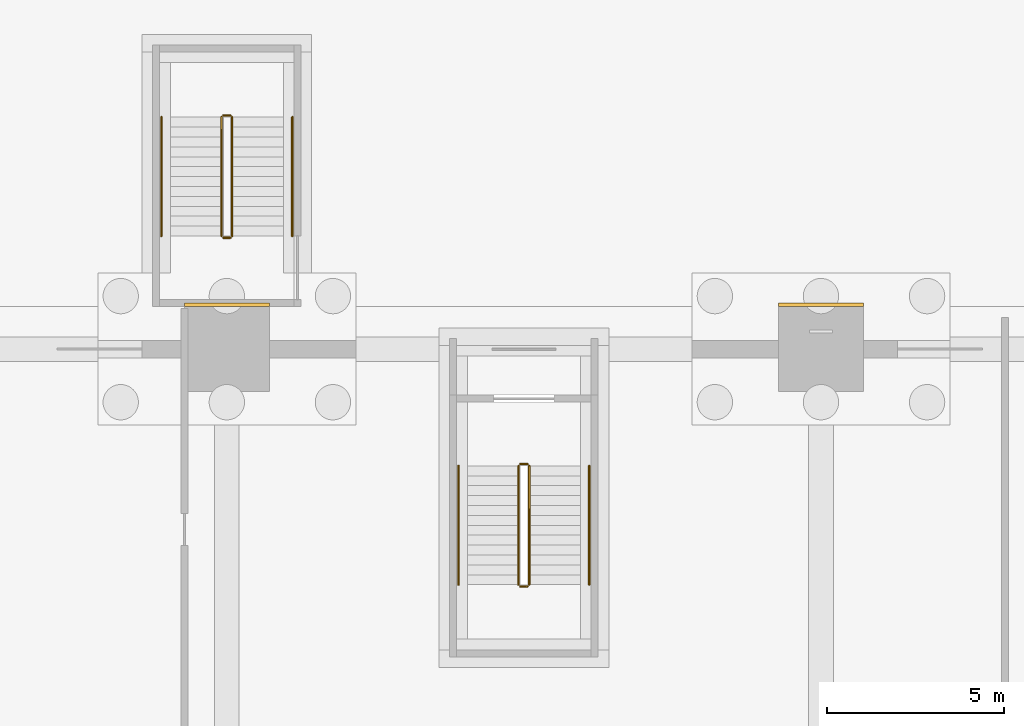
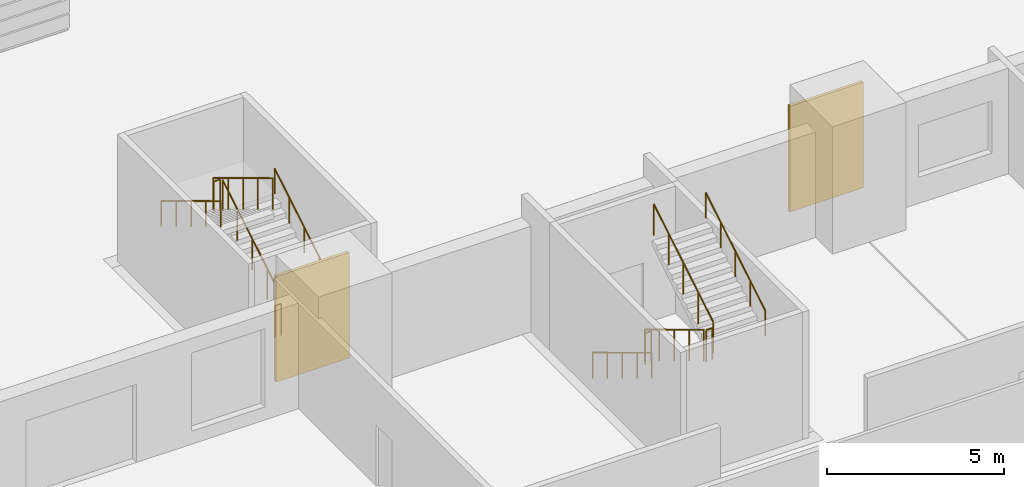
# One storey, part 121 of 139: 12 railings, 2 coverings.
"""IFC4 building model written with IfcOpenShell, lengths in metres."""

from ifc_helpers import new_model, si_unit, direction, frame, origin, origin_2d, place, context, subcontext, project, spatial, rectangle, circle, extrude, material, layer, layer_set, type_object, element, save


model = new_model("IFC4")

# Units and contexts
model_context = context("Model", 3, precision=1e-05, world=origin(), true_north=direction((0.0, 1.0)))
body_context = subcontext(model_context, "Body", "Model", "MODEL_VIEW")
ifc_project = project(units=[si_unit("LENGTHUNIT", "METRE"), si_unit("AREAUNIT", "SQUARE_METRE"), si_unit("VOLUMEUNIT", "CUBIC_METRE"), si_unit("PLANEANGLEUNIT", "RADIAN"), si_unit("MASSUNIT", "GRAM", prefix="KILO")], contexts=[model_context])

# Site, building, storey
site_placement = place(None, origin())
site = spatial("IfcSite", under=ifc_project, at=site_placement, CompositionType="ELEMENT")
building_placement = place(site_placement, origin())
building = spatial("IfcBuilding", under=site, at=building_placement, Name="Verrick Yard Athletic Hall", CompositionType="ELEMENT")
storey_placement = place(building_placement, origin())
storey = spatial("IfcBuildingStorey", under=building, at=storey_placement, Name="L00", CompositionType="ELEMENT", Elevation=0.0)

# Coverings
ifc_material_1 = material(Name="Rusticated limestone cladding", Category="masonry")
ifc_layer = layer(ifc_material_1, 0.10009765625)
ifc_layer_set = layer_set([ifc_layer], Name="Pier base cladding")
covering_type = type_object("IfcCoveringType", Name="Pier base cladding", PredefinedType="CLADDING", material=ifc_layer_set)
for number, where, z_axis, x_axis, name in (
    (1, (107.199951171875, 54.050048828125, 0.0), (0.0, 0.0, 1.0), (1.0, 0.0, 0.0), "Pier base N5"),
    (2, (124.0, 54.050048828125, 0.0), (0.0, 0.0, 1.0), (1.0, 0.0, 0.0), "Pier base N6"),
):
    element("IfcCovering", number, at=place(storey_placement, frame(where, z_axis=z_axis, x_axis=x_axis)), inside=storey, type_object=covering_type, Name=name, PredefinedType="CLADDING", context=body_context, shape_type="SweptSolid", body=[
        extrude(rectangle(XDim=2.39990234375, YDim=0.10009765625, at=origin_2d()), origin(), (0.0, 0.0, 1.0), 3.64990234375),
    ])

# Railings
ifc_material_2 = material(Name="Stainless steel", Category="steel")
railing_type_1 = type_object("IfcRailingType", Name="Stair and core guard 1100", PredefinedType="GUARDRAIL", material=ifc_material_2)
railing_1_placement = place(storey_placement, frame((107.35009765625, 56.0, 0.169189453125)))
element("IfcRailing", 3, at=railing_1_placement, inside=storey, type_object=railing_type_1, Name="L00 North deck escape 2 stair guard 1", PredefinedType="GUARDRAIL", context=body_context, shape_type="SweptSolid", body=[
    extrude(circle(Radius=0.02392578125, at=origin_2d()), frame((0.0, 0.0, 1.076171875), z_axis=(0.0, 0.855836976705, 0.517245656632), x_axis=(-1.0, 0.0, 0.0)), (0.0, 0.0, 1.0), 3.926025390625),
    extrude(circle(Radius=0.02099609375, at=origin_2d()), origin(), (0.0, 0.0, 1.0), 1.052001953125),
    extrude(circle(Radius=0.02099609375, at=origin_2d()), frame((0.0, 0.840087890625, 0.5078125)), (0.0, 0.0, 1.0), 1.052001953125),
    extrude(circle(Radius=0.02099609375, at=origin_2d()), frame((0.0, 1.68017578125, 1.015380859375)), (0.0, 0.0, 1.0), 1.052001953125),
    extrude(circle(Radius=0.02099609375, at=origin_2d()), frame((0.0, 2.52001953125, 1.52294921875)), (0.0, 0.0, 1.0), 1.052001953125),
    extrude(circle(Radius=0.02099609375, at=origin_2d()), frame((0.0, 3.360107421875, 2.03076171875)), (0.0, 0.0, 1.0), 1.052001953125),
])
railing_2_placement = place(storey_placement, frame((107.300048828125, 59.409912109375, 2.199951171875)))
element("IfcRailing", 4, at=railing_2_placement, inside=storey, type_object=railing_type_1, Name="L00 North deck escape 2 stair guard 2", PredefinedType="GUARDRAIL", context=body_context, shape_type="SweptSolid", body=[
    extrude(circle(Radius=0.02392578125, at=origin_2d()), frame((0.0, 0.0, 1.076171875), z_axis=(-1.0, 0.0, 0.0), x_axis=(0.0, -1.0, 0.0)), (0.0, 0.0, 1.0), 0.199951171875),
    extrude(circle(Radius=0.02099609375, at=origin_2d()), origin(), (0.0, 0.0, 1.0), 1.052001953125),
    extrude(circle(Radius=0.02099609375, at=origin_2d()), frame((-0.199951171875, 0.0, 0.0)), (0.0, 0.0, 1.0), 1.052001953125),
])
railing_3_placement = place(storey_placement, frame((107.050048828125, 59.360107421875, 2.369140625)))
element("IfcRailing", 5, at=railing_3_placement, inside=storey, type_object=railing_type_1, Name="L00 North deck escape 2 stair guard 3", PredefinedType="GUARDRAIL", context=body_context, shape_type="SweptSolid", body=[
    extrude(circle(Radius=0.02392578125, at=origin_2d()), frame((0.0, 0.0, 1.076171875), z_axis=(0.0, -0.855836976705, 0.517245656632), x_axis=(1.0, 0.0, 0.0)), (0.0, 0.0, 1.0), 3.926025390625),
    extrude(circle(Radius=0.02099609375, at=origin_2d()), origin(), (0.0, 0.0, 1.0), 1.052001953125),
    extrude(circle(Radius=0.02099609375, at=origin_2d()), frame((0.0, -0.840087890625, 0.5078125)), (0.0, 0.0, 1.0), 1.052001953125),
    extrude(circle(Radius=0.02099609375, at=origin_2d()), frame((0.0, -1.68017578125, 1.015380859375)), (0.0, 0.0, 1.0), 1.052001953125),
    extrude(circle(Radius=0.02099609375, at=origin_2d()), frame((0.0, -2.52001953125, 1.52294921875)), (0.0, 0.0, 1.0), 1.052001953125),
    extrude(circle(Radius=0.02099609375, at=origin_2d()), frame((0.0, -3.360107421875, 2.03076171875)), (0.0, 0.0, 1.0), 1.052001953125),
])
railing_4_placement = place(storey_placement, frame((107.300048828125, 55.949951171875, 0.0)))
element("IfcRailing", 6, at=railing_4_placement, inside=storey, type_object=railing_type_1, Name="L00 North deck escape 2 stair guard 4", PredefinedType="GUARDRAIL", context=body_context, shape_type="SweptSolid", body=[
    extrude(circle(Radius=0.02392578125, at=origin_2d()), frame((0.0, 0.0, 1.076171875), z_axis=(-1.0, 0.0, 0.0), x_axis=(0.0, -1.0, 0.0)), (0.0, 0.0, 1.0), 0.199951171875),
    extrude(circle(Radius=0.02099609375, at=origin_2d()), origin(), (0.0, 0.0, 1.0), 1.052001953125),
    extrude(circle(Radius=0.02099609375, at=origin_2d()), frame((-0.199951171875, 0.0, 0.0)), (0.0, 0.0, 1.0), 1.052001953125),
])
railing_5_placement = place(storey_placement, frame((115.449951171875, 49.5, 0.169189453125)))
element("IfcRailing", 7, at=railing_5_placement, inside=storey, type_object=railing_type_1, Name="L00 North plinth exit 3 stair guard 1", PredefinedType="GUARDRAIL", context=body_context, shape_type="SweptSolid", body=[
    extrude(circle(Radius=0.02392578125, at=origin_2d()), frame((0.0, 0.0, 1.076171875), z_axis=(0.0, -0.855836976705, 0.517245656632), x_axis=(1.0, 0.0, 0.0)), (0.0, 0.0, 1.0), 3.926025390625),
    extrude(circle(Radius=0.02099609375, at=origin_2d()), origin(), (0.0, 0.0, 1.0), 1.052001953125),
    extrude(circle(Radius=0.02099609375, at=origin_2d()), frame((0.0, -0.840087890625, 0.5078125)), (0.0, 0.0, 1.0), 1.052001953125),
    extrude(circle(Radius=0.02099609375, at=origin_2d()), frame((0.0, -1.68017578125, 1.015380859375)), (0.0, 0.0, 1.0), 1.052001953125),
    extrude(circle(Radius=0.02099609375, at=origin_2d()), frame((0.0, -2.52001953125, 1.52294921875)), (0.0, 0.0, 1.0), 1.052001953125),
    extrude(circle(Radius=0.02099609375, at=origin_2d()), frame((0.0, -3.360107421875, 2.03076171875)), (0.0, 0.0, 1.0), 1.052001953125),
])
railing_6_placement = place(storey_placement, frame((115.5, 46.090087890625, 2.199951171875)))
element("IfcRailing", 8, at=railing_6_placement, inside=storey, type_object=railing_type_1, Name="L00 North plinth exit 3 stair guard 2", PredefinedType="GUARDRAIL", context=body_context, shape_type="SweptSolid", body=[
    extrude(circle(Radius=0.02392578125, at=origin_2d()), frame((0.0, 0.0, 1.076171875), z_axis=(1.0, 0.0, 0.0), x_axis=(0.0, 1.0, 0.0)), (0.0, 0.0, 1.0), 0.199951171875),
    extrude(circle(Radius=0.02099609375, at=origin_2d()), origin(), (0.0, 0.0, 1.0), 1.052001953125),
    extrude(circle(Radius=0.02099609375, at=origin_2d()), frame((0.199951171875, 0.0, 0.0)), (0.0, 0.0, 1.0), 1.052001953125),
])
railing_7_placement = place(storey_placement, frame((115.75, 46.139892578125, 2.369140625)))
element("IfcRailing", 9, at=railing_7_placement, inside=storey, type_object=railing_type_1, Name="L00 North plinth exit 3 stair guard 3", PredefinedType="GUARDRAIL", context=body_context, shape_type="SweptSolid", body=[
    extrude(circle(Radius=0.02392578125, at=origin_2d()), frame((0.0, 0.0, 1.076171875), z_axis=(0.0, 0.855836976705, 0.517245656632), x_axis=(-1.0, 0.0, 0.0)), (0.0, 0.0, 1.0), 3.926025390625),
    extrude(circle(Radius=0.02099609375, at=origin_2d()), origin(), (0.0, 0.0, 1.0), 1.052001953125),
    extrude(circle(Radius=0.02099609375, at=origin_2d()), frame((0.0, 0.840087890625, 0.5078125)), (0.0, 0.0, 1.0), 1.052001953125),
    extrude(circle(Radius=0.02099609375, at=origin_2d()), frame((0.0, 1.68017578125, 1.015380859375)), (0.0, 0.0, 1.0), 1.052001953125),
    extrude(circle(Radius=0.02099609375, at=origin_2d()), frame((0.0, 2.52001953125, 1.52294921875)), (0.0, 0.0, 1.0), 1.052001953125),
    extrude(circle(Radius=0.02099609375, at=origin_2d()), frame((0.0, 3.360107421875, 2.03076171875)), (0.0, 0.0, 1.0), 1.052001953125),
])
railing_8_placement = place(storey_placement, frame((115.5, 49.550048828125, 0.0)))
element("IfcRailing", 10, at=railing_8_placement, inside=storey, type_object=railing_type_1, Name="L00 North plinth exit 3 stair guard 4", PredefinedType="GUARDRAIL", context=body_context, shape_type="SweptSolid", body=[
    extrude(circle(Radius=0.02392578125, at=origin_2d()), frame((0.0, 0.0, 1.076171875), z_axis=(1.0, 0.0, 0.0), x_axis=(0.0, 1.0, 0.0)), (0.0, 0.0, 1.0), 0.199951171875),
    extrude(circle(Radius=0.02099609375, at=origin_2d()), origin(), (0.0, 0.0, 1.0), 1.052001953125),
    extrude(circle(Radius=0.02099609375, at=origin_2d()), frame((0.199951171875, 0.0, 0.0)), (0.0, 0.0, 1.0), 1.052001953125),
])
railing_type_2 = type_object("IfcRailingType", Name="Stair handrail 900", PredefinedType="HANDRAIL", material=ifc_material_2)
railing_9_placement = place(storey_placement, frame((109.050048828125, 56.0, 0.169189453125)))
element("IfcRailing", 11, at=railing_9_placement, inside=storey, type_object=railing_type_2, Name="L00 North deck escape 2 stair handrail 1", PredefinedType="HANDRAIL", context=body_context, shape_type="SweptSolid", body=[
    extrude(circle(Radius=0.02392578125, at=origin_2d()), frame((0.0, 0.0, 0.8759765625), z_axis=(0.0, 0.855836976705, 0.517245656632), x_axis=(-1.0, 0.0, 0.0)), (0.0, 0.0, 1.0), 3.926025390625),
    extrude(circle(Radius=0.02099609375, at=origin_2d()), origin(), (0.0, 0.0, 1.0), 0.851806640625),
    extrude(circle(Radius=0.02099609375, at=origin_2d()), frame((0.0, 0.840087890625, 0.5078125)), (0.0, 0.0, 1.0), 0.851806640625),
    extrude(circle(Radius=0.02099609375, at=origin_2d()), frame((0.0, 1.68017578125, 1.015380859375)), (0.0, 0.0, 1.0), 0.851806640625),
    extrude(circle(Radius=0.02099609375, at=origin_2d()), frame((0.0, 2.52001953125, 1.52294921875)), (0.0, 0.0, 1.0), 0.851806640625),
    extrude(circle(Radius=0.02099609375, at=origin_2d()), frame((0.0, 3.360107421875, 2.03076171875)), (0.0, 0.0, 1.0), 0.851806640625),
])
for number, where, name in (
    (12, (105.35009765625, 59.360107421875, 2.369140625), "L00 North deck escape 2 stair handrail 2"),
    (13, (113.75, 49.5, 0.169189453125), "L00 North plinth exit 3 stair handrail 1"),
):
    element("IfcRailing", number, at=place(storey_placement, frame(where)), inside=storey, type_object=railing_type_2, Name=name, PredefinedType="HANDRAIL", context=body_context, shape_type="SweptSolid", body=[
        extrude(circle(Radius=0.02392578125, at=origin_2d()), frame((0.0, 0.0, 0.8759765625), z_axis=(0.0, -0.855836976705, 0.517245656632), x_axis=(1.0, 0.0, 0.0)), (0.0, 0.0, 1.0), 3.926025390625),
        extrude(circle(Radius=0.02099609375, at=origin_2d()), origin(), (0.0, 0.0, 1.0), 0.851806640625),
        extrude(circle(Radius=0.02099609375, at=origin_2d()), frame((0.0, -0.840087890625, 0.5078125)), (0.0, 0.0, 1.0), 0.851806640625),
        extrude(circle(Radius=0.02099609375, at=origin_2d()), frame((0.0, -1.68017578125, 1.015380859375)), (0.0, 0.0, 1.0), 0.851806640625),
        extrude(circle(Radius=0.02099609375, at=origin_2d()), frame((0.0, -2.52001953125, 1.52294921875)), (0.0, 0.0, 1.0), 0.851806640625),
        extrude(circle(Radius=0.02099609375, at=origin_2d()), frame((0.0, -3.360107421875, 2.03076171875)), (0.0, 0.0, 1.0), 0.851806640625),
    ])
railing_10_placement = place(storey_placement, frame((117.449951171875, 46.139892578125, 2.369140625)))
element("IfcRailing", 14, at=railing_10_placement, inside=storey, type_object=railing_type_2, Name="L00 North plinth exit 3 stair handrail 2", PredefinedType="HANDRAIL", context=body_context, shape_type="SweptSolid", body=[
    extrude(circle(Radius=0.02392578125, at=origin_2d()), frame((0.0, 0.0, 0.8759765625), z_axis=(0.0, 0.855836976705, 0.517245656632), x_axis=(-1.0, 0.0, 0.0)), (0.0, 0.0, 1.0), 3.926025390625),
    extrude(circle(Radius=0.02099609375, at=origin_2d()), origin(), (0.0, 0.0, 1.0), 0.851806640625),
    extrude(circle(Radius=0.02099609375, at=origin_2d()), frame((0.0, 0.840087890625, 0.5078125)), (0.0, 0.0, 1.0), 0.851806640625),
    extrude(circle(Radius=0.02099609375, at=origin_2d()), frame((0.0, 1.68017578125, 1.015380859375)), (0.0, 0.0, 1.0), 0.851806640625),
    extrude(circle(Radius=0.02099609375, at=origin_2d()), frame((0.0, 2.52001953125, 1.52294921875)), (0.0, 0.0, 1.0), 0.851806640625),
    extrude(circle(Radius=0.02099609375, at=origin_2d()), frame((0.0, 3.360107421875, 2.03076171875)), (0.0, 0.0, 1.0), 0.851806640625),
])

save(model, "model.ifc")
